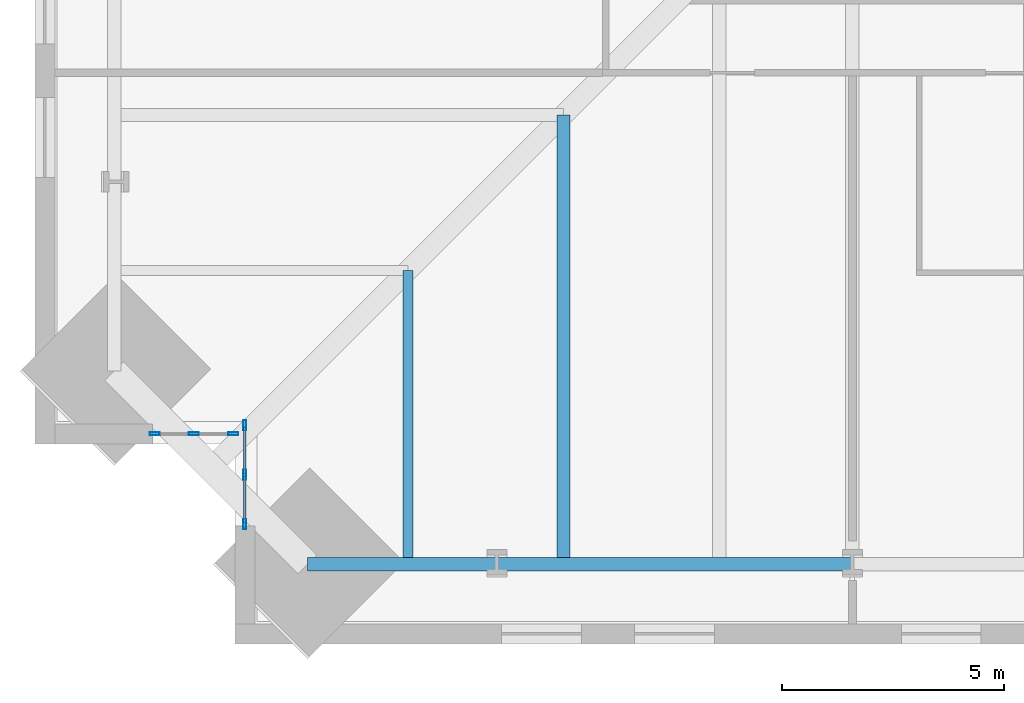
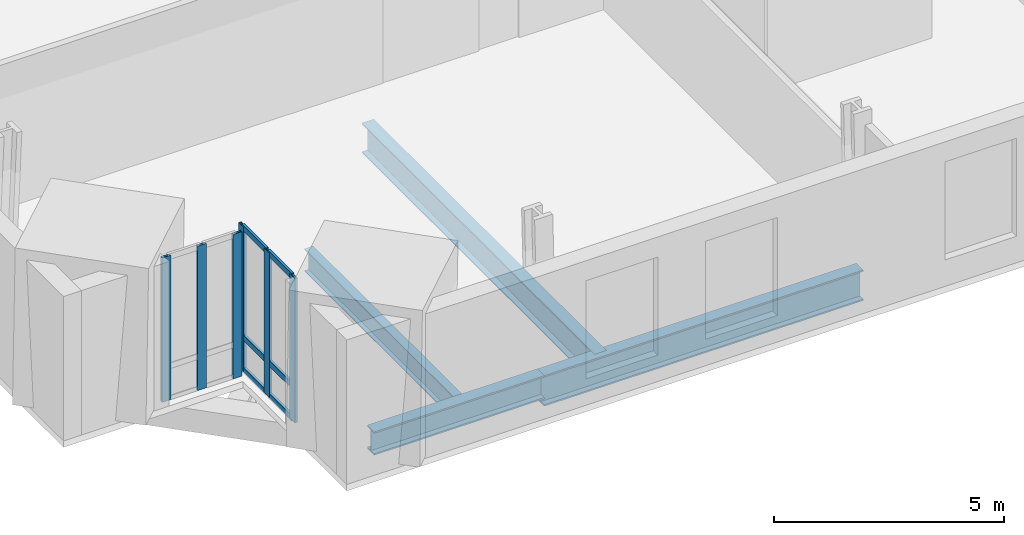
# One storey, part 2 of 18: 12 members, 4 beams, 2 elements without a shape of their own.
"""IFC4 building model written with IfcOpenShell, lengths in metres."""

from ifc_helpers import new_model, si_unit, direction, frame, origin, origin_2d, place, context, subcontext, project, spatial, hollow_rectangle, i_section, extrude, material, material_profile, profile_set, type_object, element, aggregate, save


model = new_model("IFC4")

# Units and contexts
model_context = context("Model", 3, precision=1e-05, world=origin(), true_north=direction((0.0, 1.0)))
body_context = subcontext(model_context, "Body", "Model", "MODEL_VIEW")
ifc_project = project(units=[si_unit("LENGTHUNIT", "METRE"), si_unit("AREAUNIT", "SQUARE_METRE"), si_unit("VOLUMEUNIT", "CUBIC_METRE"), si_unit("PLANEANGLEUNIT", "RADIAN"), si_unit("MASSUNIT", "GRAM", prefix="KILO")], contexts=[model_context])

# Site, building, storey
site_placement = place(None, origin())
site = spatial("IfcSite", under=ifc_project, at=site_placement, CompositionType="ELEMENT")
building_placement = place(site_placement, origin())
building = spatial("IfcBuilding", under=site, at=building_placement, Name="Peilmerk Tower", CompositionType="ELEMENT")
storey_placement = place(building_placement, frame((0.0, 0.0, 155.800048828125)))
storey = spatial("IfcBuildingStorey", under=building, at=storey_placement, Name="L32", CompositionType="ELEMENT", Elevation=155.800048828125)

# Beams
ifc_material_1 = material(Name="Steel S355", Category="steel")
ifc_material_profile_1 = material_profile(ifc_material_1, i_section(OverallWidth=0.219970703125, OverallDepth=0.60009765625, WebThickness=0.011962890625, FlangeThickness=0.01904296875, at=origin_2d()), Name="IPE 600")
ifc_profile_set_1 = profile_set([ifc_material_profile_1], Name="Steel S355")
beam_type_1 = type_object("IfcBeamType", Name="B10 IPE 600 floor beam", PredefinedType="BEAM", material=ifc_profile_set_1)
beam_1_placement = place(storey_placement, frame((-18.0, -18.0, -0.469970703125), z_axis=(0.0, -1.0, 0.0), x_axis=(1.0, 0.0, 0.0)))
element("IfcBeam", 1, at=beam_1_placement, inside=storey, type_object=beam_type_1, Name="Floor beam L32", PredefinedType="BEAM", context=body_context, shape_type="SweptSolid", body=[
    extrude(i_section(OverallWidth=0.219970703125, OverallDepth=0.60009765625, WebThickness=0.011962890625, FlangeThickness=0.01904296875, at=origin_2d()), origin(), (0.0, 0.0, 1.0), 6.614501953125),
])
ifc_material_profile_2 = material_profile(ifc_material_1, i_section(OverallWidth=0.302978515625, OverallDepth=0.81396484375, WebThickness=0.02099609375, FlangeThickness=0.0400390625, at=origin_2d()), Name="HEM 800")
ifc_profile_set_2 = profile_set([ifc_material_profile_2], Name="Steel S355")
beam_type_2 = type_object("IfcBeamType", Name="B15 HEM 800 edge beam", PredefinedType="SPANDREL", material=ifc_profile_set_2)
beam_2_placement = place(storey_placement, frame((-16.0, -24.614501953125, -0.5771484375), z_axis=(1.0, 0.0, 0.0), x_axis=(0.0, 1.0, 0.0)))
element("IfcBeam", 2, at=beam_2_placement, inside=storey, type_object=beam_type_2, Name="Edge beam L32", PredefinedType="SPANDREL", context=body_context, shape_type="SweptSolid", body=[
    extrude(i_section(OverallWidth=0.302978515625, OverallDepth=0.81396484375, WebThickness=0.02099609375, FlangeThickness=0.0400390625, at=origin_2d()), origin(), (0.0, 0.0, 1.0), 8.0),
])
ifc_material_profile_3 = material_profile(ifc_material_1, i_section(OverallWidth=0.300048828125, OverallDepth=0.7900390625, WebThickness=0.014892578125, FlangeThickness=0.028076171875, at=origin_2d()), Name="HEA 800")
ifc_profile_set_3 = profile_set([ifc_material_profile_3], Name="Steel S355")
beam_type_3 = type_object("IfcBeamType", Name="B3 HEA 800 floor beam", PredefinedType="BEAM", material=ifc_profile_set_3)
beam_3_placement = place(storey_placement, frame((-14.5, -14.5, -0.56494140625), z_axis=(0.0, -1.0, 0.0), x_axis=(1.0, 0.0, 0.0)))
element("IfcBeam", 3, at=beam_3_placement, inside=storey, type_object=beam_type_3, Name="Floor beam L32", PredefinedType="BEAM", context=body_context, shape_type="SweptSolid", body=[
    extrude(i_section(OverallWidth=0.300048828125, OverallDepth=0.7900390625, WebThickness=0.014892578125, FlangeThickness=0.028076171875, at=origin_2d()), origin(), (0.0, 0.0, 1.0), 10.114501953125),
])
ifc_material_profile_4 = material_profile(ifc_material_1, i_section(OverallWidth=0.304931640625, OverallDepth=0.6201171875, WebThickness=0.02099609375, FlangeThickness=0.0400390625, at=origin_2d()), Name="HEM 600")
ifc_profile_set_4 = profile_set([ifc_material_profile_4], Name="Steel S355")
beam_type_4 = type_object("IfcBeamType", Name="B31 HEM 600 edge beam", PredefinedType="SPANDREL", material=ifc_profile_set_4)
beam_4_placement = place(storey_placement, frame((-20.264404296875, -24.614501953125, -0.47998046875), z_axis=(1.0, 0.0, 0.0), x_axis=(0.0, 1.0, 0.0)))
element("IfcBeam", 4, at=beam_4_placement, inside=storey, type_object=beam_type_4, Name="Edge beam L32", PredefinedType="SPANDREL", context=body_context, shape_type="SweptSolid", body=[
    extrude(i_section(OverallWidth=0.304931640625, OverallDepth=0.6201171875, WebThickness=0.02099609375, FlangeThickness=0.0400390625, at=origin_2d()), origin(), (0.0, 0.0, 1.0), 4.264404296875),
])

# Curtain wall, members
ifc_material_2 = material(Name="Aluminium stick curtain wall", Category="aluminium")
curtain_wall_type = type_object("IfcCurtainWallType", Name="CW3 stick curtain wall, 2250 module", PredefinedType="NOTDEFINED", material=ifc_material_2)
curtain_wall_1_placement = place(storey_placement, origin())
curtain_wall_1 = element("IfcCurtainWall", 5, at=curtain_wall_1_placement, inside=storey, type_object=curtain_wall_type, Name="Curtain wall CW3 SWA L32", PredefinedType="NOTDEFINED")
ifc_material_3 = material(Name="Aluminium EN AW-6063 T6", Category="aluminium")
ifc_material_profile_5 = material_profile(ifc_material_3, hollow_rectangle(XDim=0.06494140625, YDim=0.22509765625, WallThickness=0.00390625, at=origin_2d()), Name="AL 225x65x4")
ifc_profile_set_5 = profile_set([ifc_material_profile_5], Name="Aluminium EN AW-6063 T6")
member_type_1 = type_object("IfcMemberType", Name="CW3-M AL 225x65x4 mullion", PredefinedType="MULLION", material=ifc_profile_set_5)
member_1_placement = place(storey_placement, frame((-21.675048828125, -21.482421875, 0.0), z_axis=(0.0, 0.0, 1.0), x_axis=(1.0, 0.0, 0.0)))
member_1 = element("IfcMember", 6, at=member_1_placement, type_object=member_type_1, Name="CW3 mullion 1", PredefinedType="MULLION", context=body_context, shape_type="SweptSolid", body=[
    extrude(hollow_rectangle(XDim=0.06494140625, YDim=0.22509765625, WallThickness=0.00390625, at=origin_2d()), origin(), (0.0, 0.0, 1.0), 3.829833984375),
])
member_2_placement = place(storey_placement, frame((-21.675048828125, -22.59423828125, 0.0), z_axis=(0.0, 0.0, 1.0), x_axis=(1.0, 0.0, 0.0)))
member_2 = element("IfcMember", 7, at=member_2_placement, type_object=member_type_1, Name="CW3 mullion 2", PredefinedType="MULLION", context=body_context, shape_type="SweptSolid", body=[
    extrude(hollow_rectangle(XDim=0.06494140625, YDim=0.22509765625, WallThickness=0.00390625, at=origin_2d()), origin(), (0.0, 0.0, 1.0), 3.829833984375),
])
member_3_placement = place(storey_placement, frame((-21.675048828125, -23.706298828125, 0.0), z_axis=(0.0, 0.0, 1.0), x_axis=(1.0, 0.0, 0.0)))
member_3 = element("IfcMember", 8, at=member_3_placement, type_object=member_type_1, Name="CW3 mullion 3", PredefinedType="MULLION", context=body_context, shape_type="SweptSolid", body=[
    extrude(hollow_rectangle(XDim=0.06494140625, YDim=0.22509765625, WallThickness=0.00390625, at=origin_2d()), origin(), (0.0, 0.0, 1.0), 3.829833984375),
])

curtain_wall_2_placement = place(storey_placement, origin())
curtain_wall_2 = element("IfcCurtainWall", 9, at=curtain_wall_2_placement, inside=storey, type_object=curtain_wall_type, Name="Curtain wall CW3 SWB L32", PredefinedType="NOTDEFINED")
member_4_placement = place(storey_placement, frame((-21.9326171875, -21.675048828125, 0.0), z_axis=(0.0, 0.0, 1.0), x_axis=(0.0, -1.0, 0.0)))
member_4 = element("IfcMember", 10, at=member_4_placement, type_object=member_type_1, Name="CW3 mullion 1", PredefinedType="MULLION", context=body_context, shape_type="SweptSolid", body=[
    extrude(hollow_rectangle(XDim=0.06494140625, YDim=0.22509765625, WallThickness=0.00390625, at=origin_2d()), origin(), (0.0, 0.0, 1.0), 3.829833984375),
])
member_5_placement = place(storey_placement, frame((-22.8193359375, -21.675048828125, 0.0), z_axis=(0.0, 0.0, 1.0), x_axis=(0.0, -1.0, 0.0)))
member_5 = element("IfcMember", 11, at=member_5_placement, type_object=member_type_1, Name="CW3 mullion 2", PredefinedType="MULLION", context=body_context, shape_type="SweptSolid", body=[
    extrude(hollow_rectangle(XDim=0.06494140625, YDim=0.22509765625, WallThickness=0.00390625, at=origin_2d()), origin(), (0.0, 0.0, 1.0), 3.829833984375),
])
member_6_placement = place(storey_placement, frame((-23.706298828125, -21.675048828125, 0.0), z_axis=(0.0, 0.0, 1.0), x_axis=(0.0, -1.0, 0.0)))
member_6 = element("IfcMember", 12, at=member_6_placement, type_object=member_type_1, Name="CW3 mullion 3", PredefinedType="MULLION", context=body_context, shape_type="SweptSolid", body=[
    extrude(hollow_rectangle(XDim=0.06494140625, YDim=0.22509765625, WallThickness=0.00390625, at=origin_2d()), origin(), (0.0, 0.0, 1.0), 3.829833984375),
])
aggregate(curtain_wall_2, [member_4, member_5, member_6])

# Member
ifc_material_profile_6 = material_profile(ifc_material_3, hollow_rectangle(XDim=0.06494140625, YDim=0.14990234375, WallThickness=0.0029296875, at=origin_2d()), Name="AL 150x65x3")
ifc_profile_set_6 = profile_set([ifc_material_profile_6], Name="Aluminium EN AW-6063 T6")
member_type_2 = type_object("IfcMemberType", Name="CW3-T AL 150x65x3 transom", PredefinedType="USERDEFINED", material=ifc_profile_set_6)
member_7_placement = place(storey_placement, frame((-21.675048828125, -21.514892578125, 0.032470703125), z_axis=(0.0, -1.0, 0.0), x_axis=(1.0, 0.0, 0.0)))
member_7 = element("IfcMember", 13, at=member_7_placement, type_object=member_type_2, Name="CW3 transom 1.1", ObjectType="TRANSOM", PredefinedType="USERDEFINED", context=body_context, shape_type="SweptSolid", body=[
    extrude(hollow_rectangle(XDim=0.06494140625, YDim=0.14990234375, WallThickness=0.0029296875, at=origin_2d()), origin(), (0.0, 0.0, 1.0), 1.046875),
])

member_8_placement = place(storey_placement, frame((-21.675048828125, -21.514892578125, 0.89990234375), z_axis=(0.0, -1.0, 0.0), x_axis=(1.0, 0.0, 0.0)))
member_8 = element("IfcMember", 14, at=member_8_placement, type_object=member_type_2, Name="CW3 transom 1.2", ObjectType="TRANSOM", PredefinedType="USERDEFINED", context=body_context, shape_type="SweptSolid", body=[
    extrude(hollow_rectangle(XDim=0.06494140625, YDim=0.14990234375, WallThickness=0.0029296875, at=origin_2d()), origin(), (0.0, 0.0, 1.0), 1.046875),
])

member_9_placement = place(storey_placement, frame((-21.675048828125, -21.514892578125, 3.79736328125), z_axis=(0.0, -1.0, 0.0), x_axis=(1.0, 0.0, 0.0)))
member_9 = element("IfcMember", 15, at=member_9_placement, type_object=member_type_2, Name="CW3 transom 1.3", ObjectType="TRANSOM", PredefinedType="USERDEFINED", context=body_context, shape_type="SweptSolid", body=[
    extrude(hollow_rectangle(XDim=0.06494140625, YDim=0.14990234375, WallThickness=0.0029296875, at=origin_2d()), origin(), (0.0, 0.0, 1.0), 1.046875),
])

member_10_placement = place(storey_placement, frame((-21.675048828125, -22.626953125, 0.032470703125), z_axis=(0.0, -1.0, 0.0), x_axis=(1.0, 0.0, 0.0)))
member_10 = element("IfcMember", 16, at=member_10_placement, type_object=member_type_2, Name="CW3 transom 2.1", ObjectType="TRANSOM", PredefinedType="USERDEFINED", context=body_context, shape_type="SweptSolid", body=[
    extrude(hollow_rectangle(XDim=0.06494140625, YDim=0.14990234375, WallThickness=0.0029296875, at=origin_2d()), origin(), (0.0, 0.0, 1.0), 1.046630859375),
])

member_11_placement = place(storey_placement, frame((-21.675048828125, -22.626953125, 0.89990234375), z_axis=(0.0, -1.0, 0.0), x_axis=(1.0, 0.0, 0.0)))
member_11 = element("IfcMember", 17, at=member_11_placement, type_object=member_type_2, Name="CW3 transom 2.2", ObjectType="TRANSOM", PredefinedType="USERDEFINED", context=body_context, shape_type="SweptSolid", body=[
    extrude(hollow_rectangle(XDim=0.06494140625, YDim=0.14990234375, WallThickness=0.0029296875, at=origin_2d()), origin(), (0.0, 0.0, 1.0), 1.046630859375),
])

member_12_placement = place(storey_placement, frame((-21.675048828125, -22.626953125, 3.79736328125), z_axis=(0.0, -1.0, 0.0), x_axis=(1.0, 0.0, 0.0)))
member_12 = element("IfcMember", 18, at=member_12_placement, type_object=member_type_2, Name="CW3 transom 2.3", ObjectType="TRANSOM", PredefinedType="USERDEFINED", context=body_context, shape_type="SweptSolid", body=[
    extrude(hollow_rectangle(XDim=0.06494140625, YDim=0.14990234375, WallThickness=0.0029296875, at=origin_2d()), origin(), (0.0, 0.0, 1.0), 1.046630859375),
])

aggregate(curtain_wall_1, [member_1, member_2, member_3, member_7, member_8, member_9, member_10, member_11, member_12])

save(model, "model.ifc")
